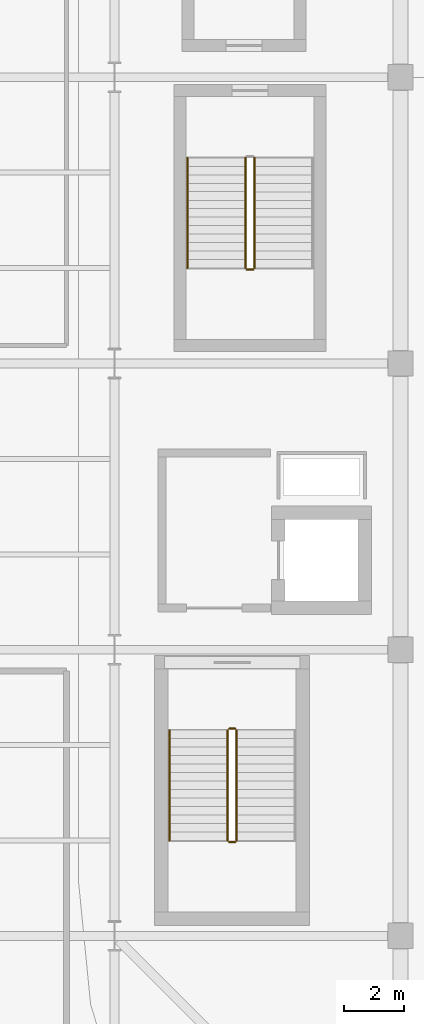
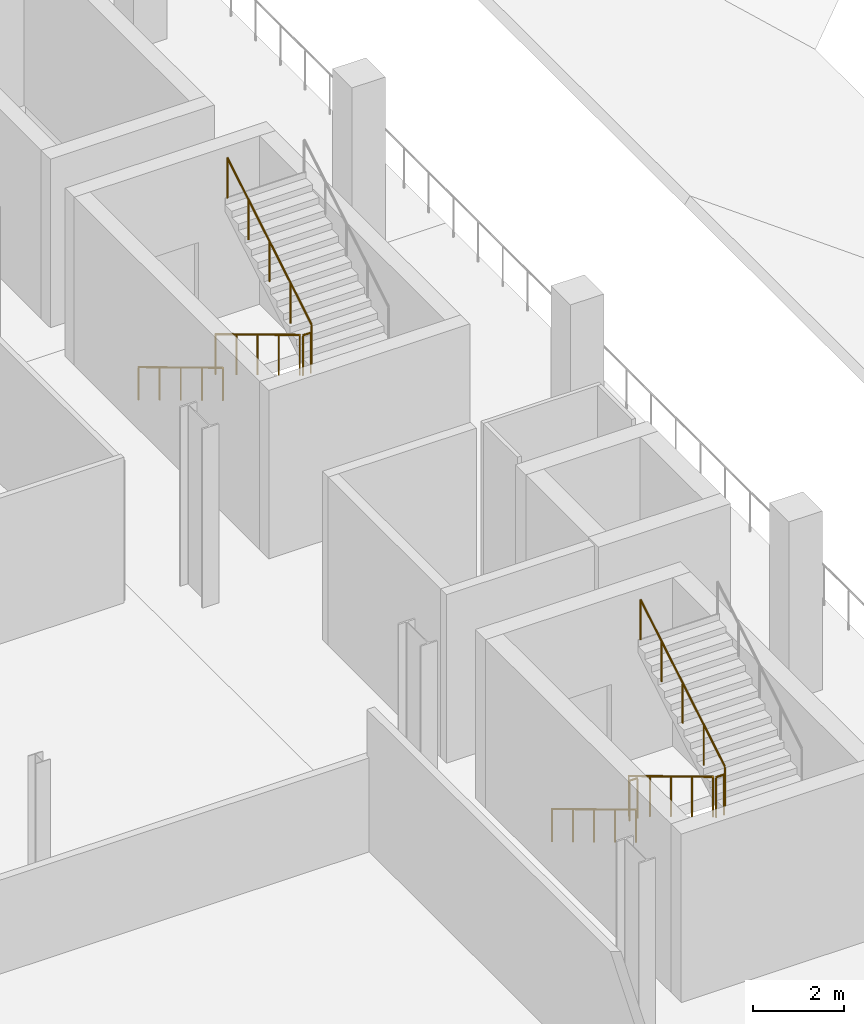
# One storey, part 80 of 99: 9 railings.
"""IFC4 building model written with IfcOpenShell, lengths in metres."""

from ifc_helpers import new_model, si_unit, direction, frame, origin, origin_2d, place, context, subcontext, project, spatial, circle, extrude, material, type_object, element, save


model = new_model("IFC4")

# Units and contexts
model_context = context("Model", 3, precision=1e-05, world=origin(), true_north=direction((0.0, 1.0)))
body_context = subcontext(model_context, "Body", "Model", "MODEL_VIEW")
ifc_project = project(units=[si_unit("LENGTHUNIT", "METRE"), si_unit("AREAUNIT", "SQUARE_METRE"), si_unit("VOLUMEUNIT", "CUBIC_METRE"), si_unit("PLANEANGLEUNIT", "RADIAN"), si_unit("MASSUNIT", "GRAM", prefix="KILO")], contexts=[model_context])

# Site, building, storey
site_placement = place(None, origin())
site = spatial("IfcSite", under=ifc_project, at=site_placement, CompositionType="ELEMENT")
building_placement = place(site_placement, origin())
building = spatial("IfcBuilding", under=site, at=building_placement, Name="Caelomonte Colonnade Arena", CompositionType="ELEMENT")
storey_placement = place(building_placement, frame((0.0, 0.0, 4.800048828125)))
storey = spatial("IfcBuildingStorey", under=building, at=storey_placement, Name="L01", CompositionType="ELEMENT", Elevation=4.800048828125)

# Railings
ifc_material_1 = material(Name="Painted galvanized steel stair guard", Category="steel")
railing_type_1 = type_object("IfcRailingType", Name="INT-RL-GRD", PredefinedType="GUARDRAIL", material=ifc_material_1)
railing_1_placement = place(storey_placement, frame((61.39990234375, 45.300048828125, 0.17138671875)))
element("IfcRailing", 1, at=railing_1_placement, inside=storey, type_object=railing_type_1, Name="L01 ST-01 stair guard 1", PredefinedType="GUARDRAIL", context=body_context, shape_type="SweptSolid", body=[
    extrude(circle(Radius=0.02392578125, at=origin_2d()), frame((0.0, 0.0, 1.076171875), z_axis=(0.0, -0.856934400257, 0.515425487977), x_axis=(1.0, 0.0, 0.0)), (0.0, 0.0, 1.0), 4.32373046875),
    extrude(circle(Radius=0.02099609375, at=origin_2d()), origin(), (0.0, 0.0, 1.0), 1.048095703125),
    extrude(circle(Radius=0.02099609375, at=origin_2d()), frame((0.0, -0.92626953125, 0.55712890625)), (0.0, 0.0, 1.0), 1.048095703125),
    extrude(circle(Radius=0.02099609375, at=origin_2d()), frame((0.0, -1.8525390625, 1.1142578125)), (0.0, 0.0, 1.0), 1.048095703125),
    extrude(circle(Radius=0.02099609375, at=origin_2d()), frame((0.0, -2.77880859375, 1.67138671875)), (0.0, 0.0, 1.0), 1.048095703125),
    extrude(circle(Radius=0.02099609375, at=origin_2d()), frame((0.0, -3.705078125, 2.228515625)), (0.0, 0.0, 1.0), 1.048095703125),
])
railing_2_placement = place(storey_placement, frame((61.449951171875, 41.544921875, 2.39990234375)))
element("IfcRailing", 2, at=railing_2_placement, inside=storey, type_object=railing_type_1, Name="L01 ST-01 stair guard 2", PredefinedType="GUARDRAIL", context=body_context, shape_type="SweptSolid", body=[
    extrude(circle(Radius=0.02392578125, at=origin_2d()), frame((0.0, 0.0, 1.076171875), z_axis=(1.0, 0.0, 0.0), x_axis=(0.0, 1.0, 0.0)), (0.0, 0.0, 1.0), 0.199951171875),
    extrude(circle(Radius=0.02099609375, at=origin_2d()), origin(), (0.0, 0.0, 1.0), 1.048095703125),
    extrude(circle(Radius=0.02099609375, at=origin_2d()), frame((0.199951171875, 0.0, 0.0)), (0.0, 0.0, 1.0), 1.048095703125),
])
railing_3_placement = place(storey_placement, frame((61.699951171875, 41.594970703125, 2.5712890625)))
element("IfcRailing", 3, at=railing_3_placement, inside=storey, type_object=railing_type_1, Name="L01 ST-01 stair guard 3", PredefinedType="GUARDRAIL", context=body_context, shape_type="SweptSolid", body=[
    extrude(circle(Radius=0.02392578125, at=origin_2d()), frame((0.0, 0.0, 1.076171875), z_axis=(0.0, 0.856909459561, 0.515466951525), x_axis=(-1.0, 0.0, 0.0)), (0.0, 0.0, 1.0), 4.32373046875),
    extrude(circle(Radius=0.02099609375, at=origin_2d()), origin(), (0.0, 0.0, 1.0), 1.048095703125),
    extrude(circle(Radius=0.02099609375, at=origin_2d()), frame((0.0, 0.92626953125, 0.55712890625)), (0.0, 0.0, 1.0), 1.048095703125),
    extrude(circle(Radius=0.02099609375, at=origin_2d()), frame((0.0, 1.8525390625, 1.1142578125)), (0.0, 0.0, 1.0), 1.048095703125),
    extrude(circle(Radius=0.02099609375, at=origin_2d()), frame((0.0, 2.77880859375, 1.671630859375)), (0.0, 0.0, 1.0), 1.048095703125),
    extrude(circle(Radius=0.02099609375, at=origin_2d()), frame((0.0, 3.705078125, 2.228759765625)), (0.0, 0.0, 1.0), 1.048095703125),
])
railing_4_placement = place(storey_placement, frame((61.449951171875, 45.35009765625, 0.0)))
element("IfcRailing", 4, at=railing_4_placement, inside=storey, type_object=railing_type_1, Name="L01 ST-01 stair guard 4", PredefinedType="GUARDRAIL", context=body_context, shape_type="SweptSolid", body=[
    extrude(circle(Radius=0.02392578125, at=origin_2d()), frame((0.0, 0.0, 1.076171875), z_axis=(1.0, 0.0, 0.0), x_axis=(0.0, 1.0, 0.0)), (0.0, 0.0, 1.0), 0.199951171875),
    extrude(circle(Radius=0.02099609375, at=origin_2d()), origin(), (0.0, 0.0, 1.0), 1.048095703125),
    extrude(circle(Radius=0.02099609375, at=origin_2d()), frame((0.199951171875, 0.0, 0.0)), (0.0, 0.0, 1.0), 1.048095703125),
])
railing_5_placement = place(storey_placement, frame((62.0, 64.5, 0.17138671875)))
element("IfcRailing", 5, at=railing_5_placement, inside=storey, type_object=railing_type_1, Name="L01 ST-09 stair guard 1", PredefinedType="GUARDRAIL", context=body_context, shape_type="SweptSolid", body=[
    extrude(circle(Radius=0.02392578125, at=origin_2d()), frame((0.0, 0.0, 1.076171875), z_axis=(0.0, -0.856934400257, 0.515425487977), x_axis=(1.0, 0.0, 0.0)), (0.0, 0.0, 1.0), 4.32373046875),
    extrude(circle(Radius=0.02099609375, at=origin_2d()), origin(), (0.0, 0.0, 1.0), 1.048095703125),
    extrude(circle(Radius=0.02099609375, at=origin_2d()), frame((0.0, -0.92626953125, 0.55712890625)), (0.0, 0.0, 1.0), 1.048095703125),
    extrude(circle(Radius=0.02099609375, at=origin_2d()), frame((0.0, -1.8525390625, 1.1142578125)), (0.0, 0.0, 1.0), 1.048095703125),
    extrude(circle(Radius=0.02099609375, at=origin_2d()), frame((0.0, -2.77880859375, 1.67138671875)), (0.0, 0.0, 1.0), 1.048095703125),
    extrude(circle(Radius=0.02099609375, at=origin_2d()), frame((0.0, -3.705078125, 2.228515625)), (0.0, 0.0, 1.0), 1.048095703125),
])
railing_6_placement = place(storey_placement, frame((62.050048828125, 60.7451171875, 2.39990234375)))
element("IfcRailing", 6, at=railing_6_placement, inside=storey, type_object=railing_type_1, Name="L01 ST-09 stair guard 2", PredefinedType="GUARDRAIL", context=body_context, shape_type="SweptSolid", body=[
    extrude(circle(Radius=0.02392578125, at=origin_2d()), frame((0.0, 0.0, 1.076171875), z_axis=(1.0, 0.0, 0.0), x_axis=(0.0, 1.0, 0.0)), (0.0, 0.0, 1.0), 0.199951171875),
    extrude(circle(Radius=0.02099609375, at=origin_2d()), origin(), (0.0, 0.0, 1.0), 1.048095703125),
    extrude(circle(Radius=0.02099609375, at=origin_2d()), frame((0.199951171875, 0.0, 0.0)), (0.0, 0.0, 1.0), 1.048095703125),
])
railing_7_placement = place(storey_placement, frame((62.300048828125, 60.794921875, 2.5712890625)))
element("IfcRailing", 7, at=railing_7_placement, inside=storey, type_object=railing_type_1, Name="L01 ST-09 stair guard 3", PredefinedType="GUARDRAIL", context=body_context, shape_type="SweptSolid", body=[
    extrude(circle(Radius=0.02392578125, at=origin_2d()), frame((0.0, 0.0, 1.076171875), z_axis=(0.0, 0.856909459561, 0.515466951525), x_axis=(-1.0, 0.0, 0.0)), (0.0, 0.0, 1.0), 4.32373046875),
    extrude(circle(Radius=0.02099609375, at=origin_2d()), origin(), (0.0, 0.0, 1.0), 1.048095703125),
    extrude(circle(Radius=0.02099609375, at=origin_2d()), frame((0.0, 0.92626953125, 0.55712890625)), (0.0, 0.0, 1.0), 1.048095703125),
    extrude(circle(Radius=0.02099609375, at=origin_2d()), frame((0.0, 1.8525390625, 1.1142578125)), (0.0, 0.0, 1.0), 1.048095703125),
    extrude(circle(Radius=0.02099609375, at=origin_2d()), frame((0.0, 2.77880859375, 1.671630859375)), (0.0, 0.0, 1.0), 1.048095703125),
    extrude(circle(Radius=0.02099609375, at=origin_2d()), frame((0.0, 3.705078125, 2.228759765625)), (0.0, 0.0, 1.0), 1.048095703125),
])
ifc_material_2 = material(Name="Brushed stainless steel stair handrail", Category="steel")
railing_type_2 = type_object("IfcRailingType", Name="INT-RL-HR", PredefinedType="HANDRAIL", material=ifc_material_2)
for number, where, name in (
    (8, (59.449951171875, 45.300048828125, 0.17138671875), "L01 ST-01 stair handrail 1"),
    (9, (60.050048828125, 64.5, 0.17138671875), "L01 ST-09 stair handrail 1"),
):
    element("IfcRailing", number, at=place(storey_placement, frame(where)), inside=storey, type_object=railing_type_2, Name=name, PredefinedType="HANDRAIL", context=body_context, shape_type="SweptSolid", body=[
        extrude(circle(Radius=0.02392578125, at=origin_2d()), frame((0.0, 0.0, 0.8759765625), z_axis=(0.0, -0.856934400257, 0.515425487977), x_axis=(1.0, 0.0, 0.0)), (0.0, 0.0, 1.0), 4.32373046875),
        extrude(circle(Radius=0.02099609375, at=origin_2d()), origin(), (0.0, 0.0, 1.0), 0.847900390625),
        extrude(circle(Radius=0.02099609375, at=origin_2d()), frame((0.0, -0.92626953125, 0.55712890625)), (0.0, 0.0, 1.0), 0.847900390625),
        extrude(circle(Radius=0.02099609375, at=origin_2d()), frame((0.0, -1.8525390625, 1.1142578125)), (0.0, 0.0, 1.0), 0.847900390625),
        extrude(circle(Radius=0.02099609375, at=origin_2d()), frame((0.0, -2.77880859375, 1.67138671875)), (0.0, 0.0, 1.0), 0.847900390625),
        extrude(circle(Radius=0.02099609375, at=origin_2d()), frame((0.0, -3.705078125, 2.228515625)), (0.0, 0.0, 1.0), 0.847900390625),
    ])

save(model, "model.ifc")
